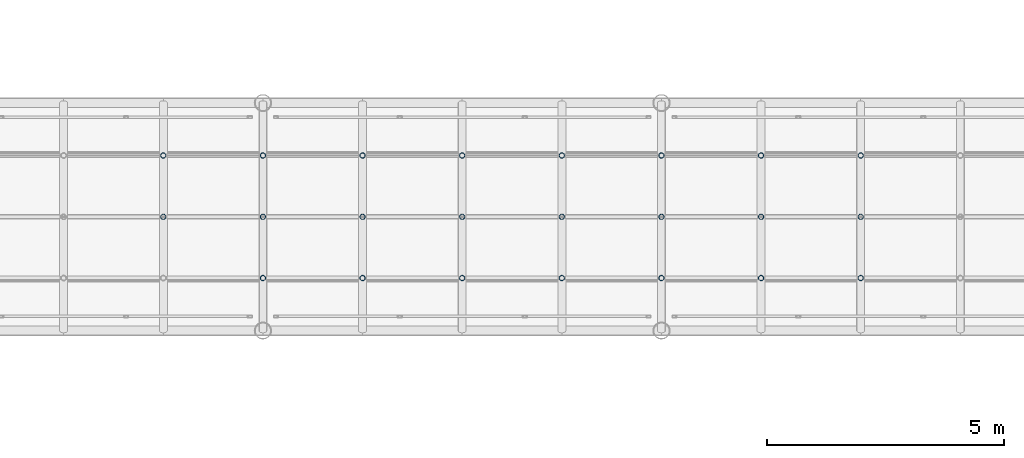
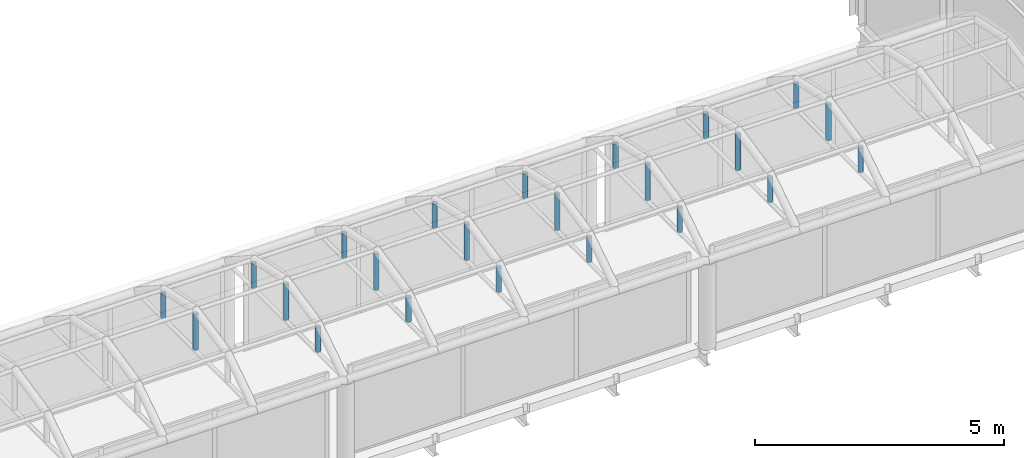
# One storey, part 139 of 167: 23 members.
"""IFC4 building model written with IfcOpenShell, lengths in metres."""

from ifc_helpers import new_model, si_unit, direction, frame, origin, origin_2d, place, context, subcontext, project, spatial, hollow_circle, extrude, material, material_profile, profile_set, type_object, element, save


model = new_model("IFC4")

# Units and contexts
model_context = context("Model", 3, precision=1e-05, world=origin(), true_north=direction((0.0, 1.0)))
body_context = subcontext(model_context, "Body", "Model", "MODEL_VIEW")
ifc_project = project(units=[si_unit("LENGTHUNIT", "METRE"), si_unit("AREAUNIT", "SQUARE_METRE"), si_unit("VOLUMEUNIT", "CUBIC_METRE"), si_unit("PLANEANGLEUNIT", "RADIAN"), si_unit("MASSUNIT", "GRAM", prefix="KILO")], contexts=[model_context])

# Site, building, storey
site_placement = place(None, origin())
site = spatial("IfcSite", under=ifc_project, at=site_placement, CompositionType="ELEMENT")
building_placement = place(site_placement, origin())
building = spatial("IfcBuilding", under=site, at=building_placement, Name="Catenary Quay Ferry Terminal", CompositionType="ELEMENT")
storey_placement = place(building_placement, frame((0.0, 0.0, 6.0)))
storey = spatial("IfcBuildingStorey", under=building, at=storey_placement, Name="L01", CompositionType="ELEMENT", Elevation=6.0)

# Members
ifc_material = material(Name="Steel S355", Category="steel")
ifc_material_profile = material_profile(ifc_material, hollow_circle(Radius=0.05712890625, WallThickness=0.00634765625, at=origin_2d()), Name="CHS 114.3x6.3")
ifc_profile_set = profile_set([ifc_material_profile], Name="Steel S355")
member_type = type_object("IfcMemberType", Name="HG1 CHS 114.3x6.3", PredefinedType="POST", material=ifc_profile_set)
member_1_placement = place(storey_placement, frame((107.10009765625, 92.39990234375, 2.14208984375), z_axis=(0.0, 0.0, 1.0), x_axis=(1.0, 0.0, 0.0)))
element("IfcMember", 1, at=member_1_placement, inside=storey, type_object=member_type, Name="Hanger RB2-08-02", PredefinedType="POST", context=body_context, shape_type="SweptSolid", body=[
    extrude(hollow_circle(Radius=0.05712890625, WallThickness=0.00634765625, at=origin_2d()), origin(), (0.0, 0.0, 1.0), 0.8779296875),
])
for number, where, z_axis, x_axis, name in (
    (2, (107.10009765625, 93.69189453125, 2.14208984375), (0.0, 0.0, 1.0), (1.0, 0.0, 0.0), "Hanger RB2-08-03"),
    (3, (109.199951171875, 91.10791015625, 2.14208984375), (0.0, 0.0, 1.0), (1.0, 0.0, 0.0), "Hanger RB2-09-01"),
):
    element("IfcMember", number, at=place(storey_placement, frame(where, z_axis=z_axis, x_axis=x_axis)), inside=storey, type_object=member_type, Name=name, PredefinedType="POST", context=body_context, shape_type="SweptSolid", body=[
        extrude(hollow_circle(Radius=0.05712890625, WallThickness=0.00634765625, at=origin_2d()), origin(), (0.0, 0.0, 1.0), 0.598876953125),
    ])
member_2_placement = place(storey_placement, frame((109.199951171875, 92.39990234375, 2.14208984375), z_axis=(0.0, 0.0, 1.0), x_axis=(1.0, 0.0, 0.0)))
element("IfcMember", 4, at=member_2_placement, inside=storey, type_object=member_type, Name="Hanger RB2-09-02", PredefinedType="POST", context=body_context, shape_type="SweptSolid", body=[
    extrude(hollow_circle(Radius=0.05712890625, WallThickness=0.00634765625, at=origin_2d()), origin(), (0.0, 0.0, 1.0), 0.8779296875),
])
for number, where, z_axis, x_axis, name in (
    (5, (109.199951171875, 93.69189453125, 2.14208984375), (0.0, 0.0, 1.0), (1.0, 0.0, 0.0), "Hanger RB2-09-03"),
    (6, (111.300048828125, 91.10791015625, 2.14208984375), (0.0, 0.0, 1.0), (1.0, 0.0, 0.0), "Hanger RB2-10-01"),
):
    element("IfcMember", number, at=place(storey_placement, frame(where, z_axis=z_axis, x_axis=x_axis)), inside=storey, type_object=member_type, Name=name, PredefinedType="POST", context=body_context, shape_type="SweptSolid", body=[
        extrude(hollow_circle(Radius=0.05712890625, WallThickness=0.00634765625, at=origin_2d()), origin(), (0.0, 0.0, 1.0), 0.598876953125),
    ])
member_3_placement = place(storey_placement, frame((111.300048828125, 92.39990234375, 2.14208984375), z_axis=(0.0, 0.0, 1.0), x_axis=(1.0, 0.0, 0.0)))
element("IfcMember", 7, at=member_3_placement, inside=storey, type_object=member_type, Name="Hanger RB2-10-02", PredefinedType="POST", context=body_context, shape_type="SweptSolid", body=[
    extrude(hollow_circle(Radius=0.05712890625, WallThickness=0.00634765625, at=origin_2d()), origin(), (0.0, 0.0, 1.0), 0.8779296875),
])
for number, where, z_axis, x_axis, name in (
    (8, (111.300048828125, 93.69189453125, 2.14208984375), (0.0, 0.0, 1.0), (1.0, 0.0, 0.0), "Hanger RB2-10-03"),
    (9, (113.39990234375, 91.10791015625, 2.14208984375), (0.0, 0.0, 1.0), (1.0, 0.0, 0.0), "Hanger RB2-11-01"),
):
    element("IfcMember", number, at=place(storey_placement, frame(where, z_axis=z_axis, x_axis=x_axis)), inside=storey, type_object=member_type, Name=name, PredefinedType="POST", context=body_context, shape_type="SweptSolid", body=[
        extrude(hollow_circle(Radius=0.05712890625, WallThickness=0.00634765625, at=origin_2d()), origin(), (0.0, 0.0, 1.0), 0.598876953125),
    ])
member_4_placement = place(storey_placement, frame((113.39990234375, 92.39990234375, 2.14208984375), z_axis=(0.0, 0.0, 1.0), x_axis=(1.0, 0.0, 0.0)))
element("IfcMember", 10, at=member_4_placement, inside=storey, type_object=member_type, Name="Hanger RB2-11-02", PredefinedType="POST", context=body_context, shape_type="SweptSolid", body=[
    extrude(hollow_circle(Radius=0.05712890625, WallThickness=0.00634765625, at=origin_2d()), origin(), (0.0, 0.0, 1.0), 0.8779296875),
])
for number, where, z_axis, x_axis, name in (
    (11, (113.39990234375, 93.69189453125, 2.14208984375), (0.0, 0.0, 1.0), (1.0, 0.0, 0.0), "Hanger RB2-11-03"),
    (12, (115.5, 91.10791015625, 2.14208984375), (0.0, 0.0, 1.0), (1.0, 0.0, 0.0), "Hanger RB2-12-01"),
):
    element("IfcMember", number, at=place(storey_placement, frame(where, z_axis=z_axis, x_axis=x_axis)), inside=storey, type_object=member_type, Name=name, PredefinedType="POST", context=body_context, shape_type="SweptSolid", body=[
        extrude(hollow_circle(Radius=0.05712890625, WallThickness=0.00634765625, at=origin_2d()), origin(), (0.0, 0.0, 1.0), 0.598876953125),
    ])
member_5_placement = place(storey_placement, frame((115.5, 92.39990234375, 2.14208984375), z_axis=(0.0, 0.0, 1.0), x_axis=(1.0, 0.0, 0.0)))
element("IfcMember", 13, at=member_5_placement, inside=storey, type_object=member_type, Name="Hanger RB2-12-02", PredefinedType="POST", context=body_context, shape_type="SweptSolid", body=[
    extrude(hollow_circle(Radius=0.05712890625, WallThickness=0.00634765625, at=origin_2d()), origin(), (0.0, 0.0, 1.0), 0.8779296875),
])
for number, where, z_axis, x_axis, name in (
    (14, (115.5, 93.69189453125, 2.14208984375), (0.0, 0.0, 1.0), (1.0, 0.0, 0.0), "Hanger RB2-12-03"),
    (15, (117.60009765625, 91.10791015625, 2.14208984375), (0.0, 0.0, 1.0), (1.0, 0.0, 0.0), "Hanger RB2-13-01"),
):
    element("IfcMember", number, at=place(storey_placement, frame(where, z_axis=z_axis, x_axis=x_axis)), inside=storey, type_object=member_type, Name=name, PredefinedType="POST", context=body_context, shape_type="SweptSolid", body=[
        extrude(hollow_circle(Radius=0.05712890625, WallThickness=0.00634765625, at=origin_2d()), origin(), (0.0, 0.0, 1.0), 0.598876953125),
    ])
member_6_placement = place(storey_placement, frame((117.60009765625, 92.39990234375, 2.14208984375), z_axis=(0.0, 0.0, 1.0), x_axis=(1.0, 0.0, 0.0)))
element("IfcMember", 16, at=member_6_placement, inside=storey, type_object=member_type, Name="Hanger RB2-13-02", PredefinedType="POST", context=body_context, shape_type="SweptSolid", body=[
    extrude(hollow_circle(Radius=0.05712890625, WallThickness=0.00634765625, at=origin_2d()), origin(), (0.0, 0.0, 1.0), 0.8779296875),
])
for number, where, z_axis, x_axis, name in (
    (17, (117.60009765625, 93.69189453125, 2.14208984375), (0.0, 0.0, 1.0), (1.0, 0.0, 0.0), "Hanger RB2-13-03"),
    (18, (119.699951171875, 91.10791015625, 2.14208984375), (0.0, 0.0, 1.0), (1.0, 0.0, 0.0), "Hanger RB2-14-01"),
):
    element("IfcMember", number, at=place(storey_placement, frame(where, z_axis=z_axis, x_axis=x_axis)), inside=storey, type_object=member_type, Name=name, PredefinedType="POST", context=body_context, shape_type="SweptSolid", body=[
        extrude(hollow_circle(Radius=0.05712890625, WallThickness=0.00634765625, at=origin_2d()), origin(), (0.0, 0.0, 1.0), 0.598876953125),
    ])
member_7_placement = place(storey_placement, frame((119.699951171875, 92.39990234375, 2.14208984375), z_axis=(0.0, 0.0, 1.0), x_axis=(1.0, 0.0, 0.0)))
element("IfcMember", 19, at=member_7_placement, inside=storey, type_object=member_type, Name="Hanger RB2-14-02", PredefinedType="POST", context=body_context, shape_type="SweptSolid", body=[
    extrude(hollow_circle(Radius=0.05712890625, WallThickness=0.00634765625, at=origin_2d()), origin(), (0.0, 0.0, 1.0), 0.8779296875),
])
for number, where, z_axis, x_axis, name in (
    (20, (119.699951171875, 93.69189453125, 2.14208984375), (0.0, 0.0, 1.0), (1.0, 0.0, 0.0), "Hanger RB2-14-03"),
    (21, (121.800048828125, 91.10791015625, 2.14208984375), (0.0, 0.0, 1.0), (1.0, 0.0, 0.0), "Hanger RB2-15-01"),
):
    element("IfcMember", number, at=place(storey_placement, frame(where, z_axis=z_axis, x_axis=x_axis)), inside=storey, type_object=member_type, Name=name, PredefinedType="POST", context=body_context, shape_type="SweptSolid", body=[
        extrude(hollow_circle(Radius=0.05712890625, WallThickness=0.00634765625, at=origin_2d()), origin(), (0.0, 0.0, 1.0), 0.598876953125),
    ])
member_8_placement = place(storey_placement, frame((121.800048828125, 92.39990234375, 2.14208984375), z_axis=(0.0, 0.0, 1.0), x_axis=(1.0, 0.0, 0.0)))
element("IfcMember", 22, at=member_8_placement, inside=storey, type_object=member_type, Name="Hanger RB2-15-02", PredefinedType="POST", context=body_context, shape_type="SweptSolid", body=[
    extrude(hollow_circle(Radius=0.05712890625, WallThickness=0.00634765625, at=origin_2d()), origin(), (0.0, 0.0, 1.0), 0.8779296875),
])
member_9_placement = place(storey_placement, frame((121.800048828125, 93.69189453125, 2.14208984375), z_axis=(0.0, 0.0, 1.0), x_axis=(1.0, 0.0, 0.0)))
element("IfcMember", 23, at=member_9_placement, inside=storey, type_object=member_type, Name="Hanger RB2-15-03", PredefinedType="POST", context=body_context, shape_type="SweptSolid", body=[
    extrude(hollow_circle(Radius=0.05712890625, WallThickness=0.00634765625, at=origin_2d()), origin(), (0.0, 0.0, 1.0), 0.598876953125),
])

save(model, "model.ifc")
